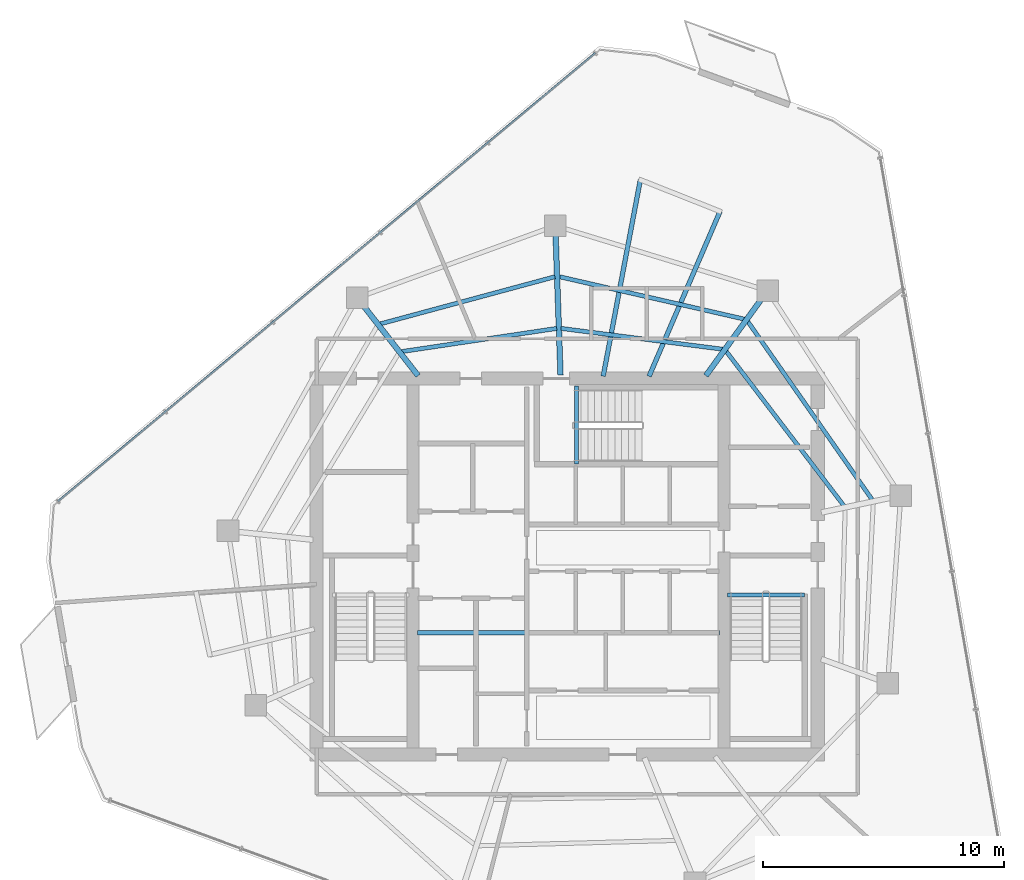
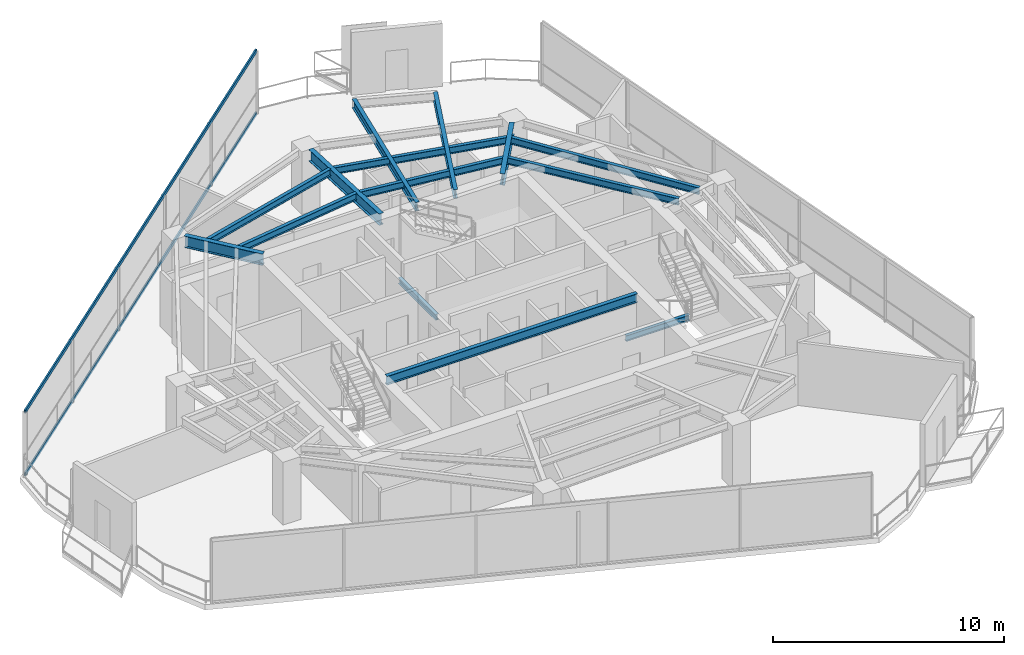
# One storey, part 8 of 18: 14 beams, 2 members, 1 element without a shape of its own.
"""IFC4 building model written with IfcOpenShell, lengths in metres."""

from ifc_helpers import new_model, si_unit, direction, frame, origin, origin_2d, place, context, subcontext, project, spatial, hollow_rectangle, i_section, extrude, material, layer, layer_set, material_profile, profile_set, type_object, element, aggregate, save


model = new_model("IFC4")

# Units and contexts
model_context = context("Model", 3, precision=1e-05, world=origin(), true_north=direction((0.0, 1.0)))
body_context = subcontext(model_context, "Body", "Model", "MODEL_VIEW")
ifc_project = project(units=[si_unit("LENGTHUNIT", "METRE"), si_unit("AREAUNIT", "SQUARE_METRE"), si_unit("VOLUMEUNIT", "CUBIC_METRE"), si_unit("PLANEANGLEUNIT", "RADIAN"), si_unit("MASSUNIT", "GRAM", prefix="KILO")], contexts=[model_context])

# Site, building, storey
site_placement = place(None, origin())
site = spatial("IfcSite", under=ifc_project, at=site_placement, CompositionType="ELEMENT")
building_placement = place(site_placement, origin())
building = spatial("IfcBuilding", under=site, at=building_placement, Name="Qarnah Convention Tower", CompositionType="ELEMENT")
storey_placement = place(building_placement, frame((0.0, 0.0, 216.60009765625)))
storey = spatial("IfcBuildingStorey", under=building, at=storey_placement, Name="L58", CompositionType="ELEMENT", Elevation=216.60009765625)

# Beams
ifc_material_1 = material(Name="Structural steel S355JR", Category="steel")
ifc_material_profile_1 = material_profile(ifc_material_1, i_section(OverallWidth=0.19189453125, OverallDepth=0.464111328125, WebThickness=0.010986328125, FlangeThickness=0.01806640625, at=origin_2d()), Name="W460X89")
ifc_profile_set_1 = profile_set([ifc_material_profile_1], Name="Structural steel S355JR")
beam_type_1 = type_object("IfcBeamType", Name="BM-CANT-W460A", PredefinedType="BEAM", material=ifc_profile_set_1)
beam_1_placement = place(storey_placement, frame((30.97998046875, 23.64990234375, 3.087890625), z_axis=(1.0, 0.0, 0.0), x_axis=(0.0, 1.0, 0.0)))
element("IfcBeam", 1, at=beam_1_placement, inside=storey, type_object=beam_type_1, Name="L58 beam BM-L58-KC1", PredefinedType="BEAM", context=body_context, shape_type="SweptSolid", body=[
    extrude(i_section(OverallWidth=0.19189453125, OverallDepth=0.464111328125, WebThickness=0.010986328125, FlangeThickness=0.01806640625, at=origin_2d()), origin(), (0.0, 0.0, 1.0), 12.5400390625),
])
beam_2_placement = place(storey_placement, frame((40.596923828125, 34.2919921875, 3.087890625), z_axis=(0.395334358974, 0.91853728537, 0.0), x_axis=(-0.91853728537, 0.395334358974, 0.0)))
element("IfcBeam", 2, at=beam_2_placement, inside=storey, type_object=beam_type_1, Name="L58 beam BM-L58-CNT-01-1", PredefinedType="BEAM", context=body_context, shape_type="SweptSolid", body=[
    extrude(i_section(OverallWidth=0.19189453125, OverallDepth=0.464111328125, WebThickness=0.010986328125, FlangeThickness=0.01806640625, at=origin_2d()), origin(), (0.0, 0.0, 1.0), 7.4521484375),
])
beam_3_placement = place(storey_placement, frame((38.694091796875, 34.298095703125, 3.087890625), z_axis=(0.185927001241, 0.982563560392, 0.0), x_axis=(-0.982563560392, 0.185927001241, 0.0)))
element("IfcBeam", 3, at=beam_3_placement, inside=storey, type_object=beam_type_1, Name="L58 beam BM-L58-CNT-01-2", PredefinedType="BEAM", context=body_context, shape_type="SweptSolid", body=[
    extrude(i_section(OverallWidth=0.19189453125, OverallDepth=0.464111328125, WebThickness=0.010986328125, FlangeThickness=0.01806640625, at=origin_2d()), origin(), (0.0, 0.0, 1.0), 8.29345703125),
])
ifc_material_profile_2 = material_profile(ifc_material_1, i_section(OverallWidth=0.166015625, OverallDepth=0.31201171875, WebThickness=0.007080078125, FlangeThickness=0.010986328125, at=origin_2d()), Name="W310X45")
ifc_profile_set_2 = profile_set([ifc_material_profile_2], Name="Structural steel S355JR")
beam_type_2 = type_object("IfcBeamType", Name="BM-JST-W310", PredefinedType="JOIST", material=ifc_profile_set_2)
beam_4_placement = place(storey_placement, frame((43.860107421875, 25.217041015625, -0.156005859375), z_axis=(1.0, 0.0, 0.0), x_axis=(0.0, 1.0, 0.0)))
element("IfcBeam", 4, at=beam_4_placement, inside=storey, type_object=beam_type_2, Name="L58 stair landing trimmer beam BM-L58-ST2-TRM", PredefinedType="BEAM", context=body_context, shape_type="SweptSolid", body=[
    extrude(i_section(OverallWidth=0.166015625, OverallDepth=0.31201171875, WebThickness=0.007080078125, FlangeThickness=0.010986328125, at=origin_2d()), origin(), (0.0, 0.0, 1.0), 3.179931640625),
])
beam_5_placement = place(storey_placement, frame((37.5830078125, 30.659912109375, -0.156005859375), z_axis=(0.0, 1.0, 0.0), x_axis=(-1.0, 0.0, 0.0)))
element("IfcBeam", 5, at=beam_5_placement, inside=storey, type_object=beam_type_2, Name="L58 stair landing trimmer beam BM-L58-ST3-TRM", PredefinedType="BEAM", context=body_context, shape_type="SweptSolid", body=[
    extrude(i_section(OverallWidth=0.166015625, OverallDepth=0.31201171875, WebThickness=0.007080078125, FlangeThickness=0.010986328125, at=origin_2d()), origin(), (0.0, 0.0, 1.0), 3.239990234375),
])
ifc_material_profile_3 = material_profile(ifc_material_1, i_section(OverallWidth=0.172119140625, OverallDepth=0.35595703125, WebThickness=0.007080078125, FlangeThickness=0.011962890625, at=origin_2d()), Name="W360X51")
ifc_profile_set_3 = profile_set([ifc_material_profile_3], Name="Structural steel S355JR")
beam_type_3 = type_object("IfcBeamType", Name="BM-JST-W360", PredefinedType="JOIST", material=ifc_profile_set_3)
beam_6_placement = place(storey_placement, frame((49.85400390625, 29.175048828125, 3.141845703125), z_axis=(-0.572298893937, 0.820045106076, 0.0), x_axis=(-0.820045106076, -0.572298893937, 0.0)))
element("IfcBeam", 6, at=beam_6_placement, inside=storey, type_object=beam_type_3, Name="L58 joist BM-L58-SJST-01", PredefinedType="JOIST", context=body_context, shape_type="SweptSolid", body=[
    extrude(i_section(OverallWidth=0.172119140625, OverallDepth=0.35595703125, WebThickness=0.007080078125, FlangeThickness=0.011962890625, at=origin_2d()), origin(), (0.0, 0.0, 1.0), 9.017822265625),
])
beam_7_placement = place(storey_placement, frame((44.553955078125, 36.6640625, 3.141845703125), z_axis=(-0.974668529412, 0.223654326526, 0.0), x_axis=(-0.223654326526, -0.974668529412, 0.0)))
element("IfcBeam", 7, at=beam_7_placement, inside=storey, type_object=beam_type_3, Name="L58 joist BM-L58-SJST-02", PredefinedType="JOIST", context=body_context, shape_type="SweptSolid", body=[
    extrude(i_section(OverallWidth=0.172119140625, OverallDepth=0.35595703125, WebThickness=0.007080078125, FlangeThickness=0.011962890625, at=origin_2d()), origin(), (0.0, 0.0, 1.0), 7.88671875),
])
beam_8_placement = place(storey_placement, frame((36.69189453125, 38.425048828125, 3.141845703125), z_axis=(-0.965438568588, -0.260630716308, 0.0), x_axis=(0.260630716308, -0.965438568588, 0.0)))
element("IfcBeam", 8, at=beam_8_placement, inside=storey, type_object=beam_type_3, Name="L58 joist BM-L58-SJST-03", PredefinedType="JOIST", context=body_context, shape_type="SweptSolid", body=[
    extrude(i_section(OverallWidth=0.172119140625, OverallDepth=0.35595703125, WebThickness=0.007080078125, FlangeThickness=0.011962890625, at=origin_2d()), origin(), (0.0, 0.0, 1.0), 7.5126953125),
])
beam_9_placement = place(storey_placement, frame((48.680908203125, 28.924072265625, 3.141845703125), z_axis=(-0.606259548409, 0.795266848273, 0.0), x_axis=(-0.795266848273, -0.606259548409, 0.0)))
element("IfcBeam", 9, at=beam_9_placement, inside=storey, type_object=beam_type_3, Name="L58 joist BM-L58-IJST-01", PredefinedType="JOIST", context=body_context, shape_type="SweptSolid", body=[
    extrude(i_section(OverallWidth=0.172119140625, OverallDepth=0.35595703125, WebThickness=0.007080078125, FlangeThickness=0.011962890625, at=origin_2d()), origin(), (0.0, 0.0, 1.0), 8.0576171875),
])
beam_10_placement = place(storey_placement, frame((43.652099609375, 35.416015625, 3.141845703125), z_axis=(-0.991788356049, 0.127890018397, 0.0), x_axis=(-0.127890018397, -0.991788356049, 0.0)))
element("IfcBeam", 10, at=beam_10_placement, inside=storey, type_object=beam_type_3, Name="L58 joist BM-L58-IJST-02", PredefinedType="JOIST", context=body_context, shape_type="SweptSolid", body=[
    extrude(i_section(OverallWidth=0.172119140625, OverallDepth=0.35595703125, WebThickness=0.007080078125, FlangeThickness=0.011962890625, at=origin_2d()), origin(), (0.0, 0.0, 1.0), 6.763427734375),
])
beam_11_placement = place(storey_placement, frame((36.76611328125, 36.280029296875, 3.141845703125), z_axis=(-0.989011636558, -0.14783769057, 0.0), x_axis=(0.14783769057, -0.989011636558, 0.0)))
element("IfcBeam", 11, at=beam_11_placement, inside=storey, type_object=beam_type_3, Name="L58 joist BM-L58-IJST-03", PredefinedType="JOIST", context=body_context, shape_type="SweptSolid", body=[
    extrude(i_section(OverallWidth=0.172119140625, OverallDepth=0.35595703125, WebThickness=0.007080078125, FlangeThickness=0.011962890625, at=origin_2d()), origin(), (0.0, 0.0, 1.0), 6.506591796875),
])
ifc_material_profile_4 = material_profile(ifc_material_1, i_section(OverallWidth=0.22802734375, OverallDepth=0.60791015625, WebThickness=0.010986328125, FlangeThickness=0.01708984375, at=origin_2d()), Name="W610X113")
ifc_profile_set_4 = profile_set([ifc_material_profile_4], Name="Structural steel S355JR")
beam_type_4 = type_object("IfcBeamType", Name="BM-RAD-W610B", PredefinedType="BEAM", material=ifc_profile_set_4)
beam_12_placement = place(storey_placement, frame((42.955078125, 34.321044921875, 3.015869140625), z_axis=(0.587650613849, 0.809114797815, 0.0), x_axis=(-0.809114797815, 0.587650613849, 0.0)))
element("IfcBeam", 12, at=beam_12_placement, inside=storey, type_object=beam_type_4, Name="L58 beam BM-L58-RAD-02", PredefinedType="BEAM", context=body_context, shape_type="SweptSolid", body=[
    extrude(i_section(OverallWidth=0.22802734375, OverallDepth=0.60791015625, WebThickness=0.010986328125, FlangeThickness=0.01708984375, at=origin_2d()), origin(), (0.0, 0.0, 1.0), 3.928955078125),
])
beam_13_placement = place(storey_placement, frame((36.923095703125, 34.35009765625, 3.015869140625), z_axis=(-0.035067624348, 0.999384941713, 0.0), x_axis=(-0.999384941713, -0.035067624348, 0.0)))
element("IfcBeam", 13, at=beam_13_placement, inside=storey, type_object=beam_type_4, Name="L58 beam BM-L58-RAD-03", PredefinedType="BEAM", context=body_context, shape_type="SweptSolid", body=[
    extrude(i_section(OverallWidth=0.22802734375, OverallDepth=0.60791015625, WebThickness=0.010986328125, FlangeThickness=0.01708984375, at=origin_2d()), origin(), (0.0, 0.0, 1.0), 5.7646484375),
])
beam_14_placement = place(storey_placement, frame((31.013916015625, 34.318115234375, 3.015869140625), z_axis=(-0.615807906571, 0.787896327066, 0.0), x_axis=(-0.787896327066, -0.615807906571, 0.0)))
element("IfcBeam", 14, at=beam_14_placement, inside=storey, type_object=beam_type_4, Name="L58 beam BM-L58-RAD-04", PredefinedType="BEAM", context=body_context, shape_type="SweptSolid", body=[
    extrude(i_section(OverallWidth=0.22802734375, OverallDepth=0.60791015625, WebThickness=0.010986328125, FlangeThickness=0.01708984375, at=origin_2d()), origin(), (0.0, 0.0, 1.0), 3.671630859375),
])

# Curtain wall, members
ifc_material_2 = material(Name="Tempered Low-E dark glass", Category="glass")
ifc_layer = layer(ifc_material_2, 0.174072265625)
ifc_layer_set = layer_set([ifc_layer], Name="Tempered Low-E dark glass")
curtain_wall_type = type_object("IfcCurtainWallType", Name="CWS-04", PredefinedType="NOTDEFINED", material=ifc_layer_set)
curtain_wall_placement = place(storey_placement, origin())
curtain_wall = element("IfcCurtainWall", 15, at=curtain_wall_placement, inside=storey, type_object=curtain_wall_type, Name="L58 unitised curtain wall CW-L58-F2", PredefinedType="NOTDEFINED")
ifc_material_3 = material(Name="Black anodised aluminium", Category="aluminium")
ifc_material_profile_5 = material_profile(ifc_material_3, hollow_rectangle(XDim=0.074951171875, YDim=0.18994140625, WallThickness=0.0048828125, at=origin_2d()), Name="TRN-75X190")
ifc_profile_set_5 = profile_set([ifc_material_profile_5], Name="Black anodised aluminium")
member_type = type_object("IfcMemberType", Name="TRN-T4", PredefinedType="USERDEFINED", material=ifc_profile_set_5)
member_1_placement = place(storey_placement, frame((16.06689453125, 29.10400390625, 0.0), z_axis=(0.767846946486, 0.640633332549, 0.0), x_axis=(-0.640633332549, 0.767846946486, 0.0)))
member_1 = element("IfcMember", 16, at=member_1_placement, type_object=member_type, Name="CW-L58-F2 transom 1", ObjectType="TRANSOM", PredefinedType="USERDEFINED", context=body_context, shape_type="SweptSolid", body=[
    extrude(hollow_rectangle(XDim=0.074951171875, YDim=0.18994140625, WallThickness=0.0048828125, at=origin_2d()), origin(), (0.0, 0.0, 1.0), 29.03857421875),
])
member_2_placement = place(storey_placement, frame((16.06689453125, 29.10400390625, 3.31982421875), z_axis=(0.767846946486, 0.640633332549, 0.0), x_axis=(-0.640633332549, 0.767846946486, 0.0)))
member_2 = element("IfcMember", 17, at=member_2_placement, type_object=member_type, Name="CW-L58-F2 transom 2", ObjectType="TRANSOM", PredefinedType="USERDEFINED", context=body_context, shape_type="SweptSolid", body=[
    extrude(hollow_rectangle(XDim=0.074951171875, YDim=0.18994140625, WallThickness=0.0048828125, at=origin_2d()), origin(), (0.0, 0.0, 1.0), 29.03857421875),
])
aggregate(curtain_wall, [member_1, member_2])

save(model, "model.ifc")
